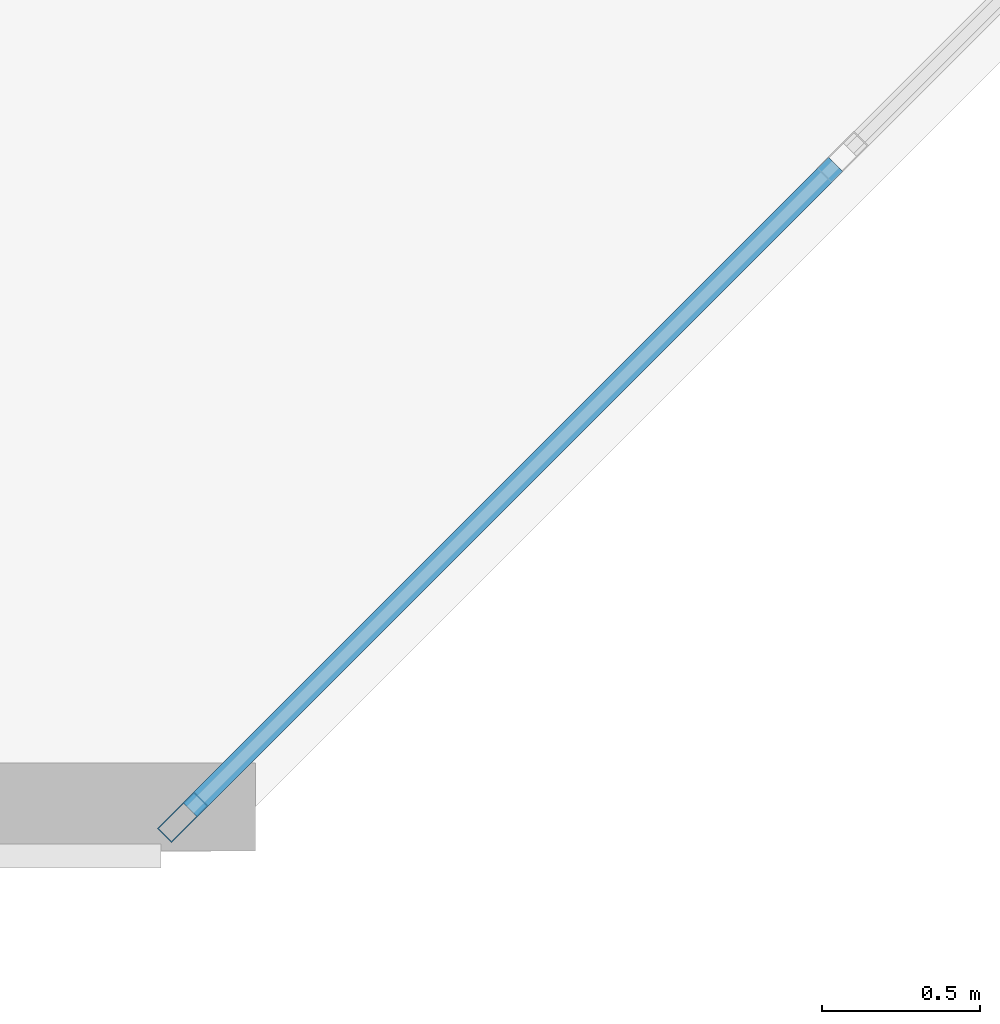
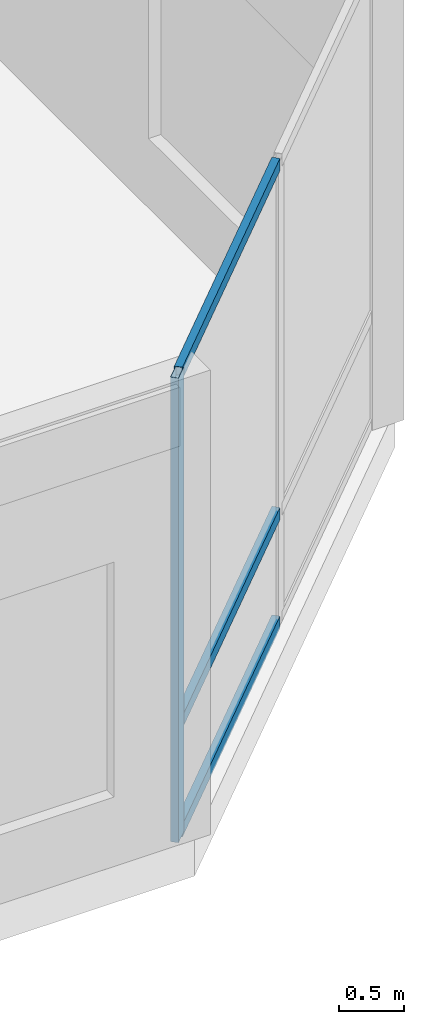
# One storey, part 4 of 20: 4 members, 1 element without a shape of its own.
"""IFC4 building model written with IfcOpenShell, lengths in metres."""

from ifc_helpers import new_model, si_unit, direction, frame, origin, origin_2d, place, context, subcontext, project, spatial, hollow_rectangle, extrude, material, layer, layer_set, material_profile, profile_set, type_object, element, aggregate, save


model = new_model("IFC4")

# Units and contexts
model_context = context("Model", 3, precision=1e-05, world=origin(), true_north=direction((0.0, 1.0)))
body_context = subcontext(model_context, "Body", "Model", "MODEL_VIEW")
ifc_project = project(units=[si_unit("LENGTHUNIT", "METRE"), si_unit("AREAUNIT", "SQUARE_METRE"), si_unit("VOLUMEUNIT", "CUBIC_METRE"), si_unit("PLANEANGLEUNIT", "RADIAN"), si_unit("MASSUNIT", "GRAM", prefix="KILO")], contexts=[model_context])

# Site, building, storey
site_placement = place(None, origin())
site = spatial("IfcSite", under=ifc_project, at=site_placement, CompositionType="ELEMENT")
building_placement = place(site_placement, origin())
building = spatial("IfcBuilding", under=site, at=building_placement, Name="Kestravale Grand Hotel", CompositionType="ELEMENT")
storey_placement = place(building_placement, frame((0.0, 0.0, 231.89990234375)))
storey = spatial("IfcBuildingStorey", under=building, at=storey_placement, Name="L58", CompositionType="ELEMENT", Elevation=231.89990234375)

# Curtain wall, members
ifc_material_1 = material(Name="Thermally broken champagne-bronze aluminium and low-E glazing", Category="aluminium")
ifc_layer = layer(ifc_material_1, 0.179931640625)
ifc_layer_set = layer_set([ifc_layer], Name="CW-Z3")
curtain_wall_type = type_object("IfcCurtainWallType", Name="CW-Z3", PredefinedType="NOTDEFINED", material=ifc_layer_set)
curtain_wall_placement = place(storey_placement, origin())
curtain_wall = element("IfcCurtainWall", 1, at=curtain_wall_placement, inside=storey, type_object=curtain_wall_type, Name="L58 unitised curtain wall 8", PredefinedType="NOTDEFINED")
ifc_material_2 = material(Name="Aluminium 6063-T6 anodised", Category="aluminium")
ifc_material_profile_1 = material_profile(ifc_material_2, hollow_rectangle(XDim=0.06494140625, YDim=0.1650390625, WallThickness=0.00341796875, at=origin_2d()))
ifc_profile_set_1 = profile_set([ifc_material_profile_1], Name="Aluminium 6063-T6 anodised")
member_type_1 = type_object("IfcMemberType", Name="CW-MUL-165", PredefinedType="MULLION", material=ifc_profile_set_1)
member_1_placement = place(storey_placement, frame((67.309814453125, 10.0078125, 0.0), z_axis=(0.0, 0.0, 1.0), x_axis=(-0.707106781187, 0.707106781187, 0.0)))
member_1 = element("IfcMember", 2, at=member_1_placement, type_object=member_type_1, Name="CW-Z3 mullion 1", PredefinedType="MULLION", context=body_context, shape_type="SweptSolid", body=[
    extrude(hollow_rectangle(XDim=0.06494140625, YDim=0.1650390625, WallThickness=0.00341796875, at=origin_2d()), origin(), (0.0, 0.0, 1.0), 4.35009765625),
])
ifc_material_3 = material(Name="Aluminium 6063-T6 anodised", Category="aluminium")
ifc_material_profile_2 = material_profile(ifc_material_3, hollow_rectangle(XDim=0.06494140625, YDim=0.114990234375, WallThickness=0.003173828125, at=origin_2d()))
ifc_profile_set_2 = profile_set([ifc_material_profile_2], Name="Aluminium 6063-T6 anodised")
member_type_2 = type_object("IfcMemberType", Name="CW-TRN-115", PredefinedType="USERDEFINED", material=ifc_profile_set_2)
member_2_placement = place(storey_placement, frame((67.332763671875, 10.03076171875, 0.03271484375), z_axis=(0.707106781187, 0.707106781187, 0.0), x_axis=(-0.707106781187, 0.707106781187, 0.0)))
member_2 = element("IfcMember", 3, at=member_2_placement, type_object=member_type_2, Name="CW-Z3 transom 1.1", ObjectType="TRANSOM", PredefinedType="USERDEFINED", context=body_context, shape_type="SweptSolid", body=[
    extrude(hollow_rectangle(XDim=0.06494140625, YDim=0.114990234375, WallThickness=0.003173828125, at=origin_2d()), origin(), (0.0, 0.0, 1.0), 2.892333984375),
])
member_3_placement = place(storey_placement, frame((67.332763671875, 10.03076171875, 1.050048828125), z_axis=(0.707106781187, 0.707106781187, 0.0), x_axis=(-0.707106781187, 0.707106781187, 0.0)))
member_3 = element("IfcMember", 4, at=member_3_placement, type_object=member_type_2, Name="CW-Z3 transom 1.2", ObjectType="TRANSOM", PredefinedType="USERDEFINED", context=body_context, shape_type="SweptSolid", body=[
    extrude(hollow_rectangle(XDim=0.06494140625, YDim=0.114990234375, WallThickness=0.003173828125, at=origin_2d()), origin(), (0.0, 0.0, 1.0), 2.892333984375),
])
member_4_placement = place(storey_placement, frame((67.332763671875, 10.03076171875, 4.317626953125), z_axis=(0.707106781187, 0.707106781187, 0.0), x_axis=(-0.707106781187, 0.707106781187, 0.0)))
member_4 = element("IfcMember", 5, at=member_4_placement, type_object=member_type_2, Name="CW-Z3 transom 1.3", ObjectType="TRANSOM", PredefinedType="USERDEFINED", context=body_context, shape_type="SweptSolid", body=[
    extrude(hollow_rectangle(XDim=0.06494140625, YDim=0.114990234375, WallThickness=0.003173828125, at=origin_2d()), origin(), (0.0, 0.0, 1.0), 2.892333984375),
])
aggregate(curtain_wall, [member_1, member_2, member_3, member_4])

save(model, "model.ifc")
